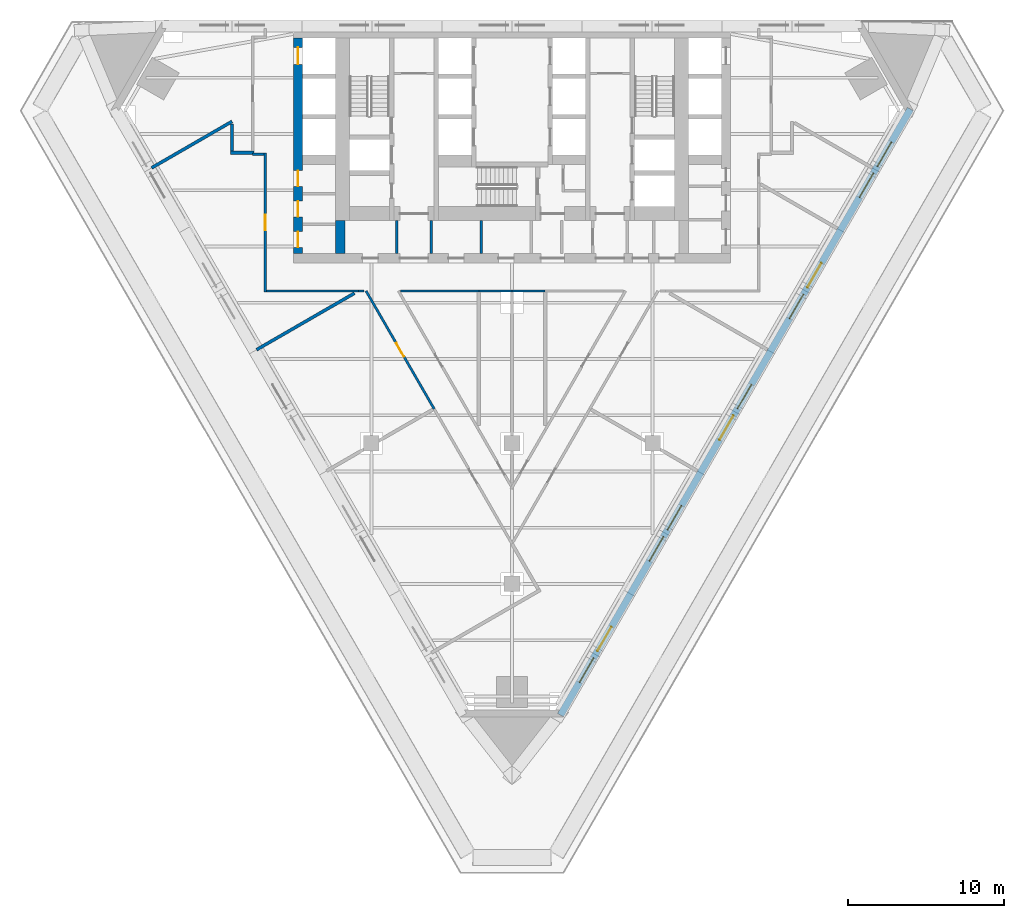
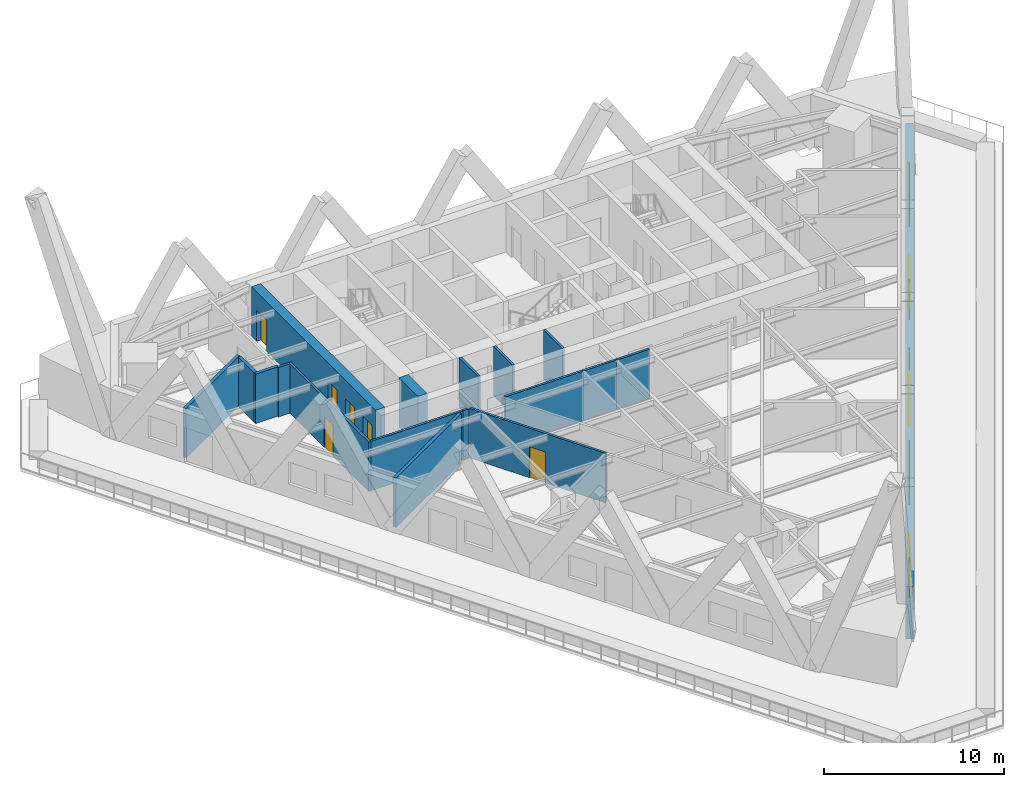
# One storey, part 4 of 11: 18 walls, 9 doors, 7 windows, 16 openings.
"""IFC4 building model written with IfcOpenShell, lengths in metres."""

from ifc_helpers import new_model, si_unit, direction, frame, frame_2d, origin, place, context, subcontext, project, spatial, polyline, rectangle, outline, extrude, material, layer, layer_set, type_object, element, fill, save


model = new_model("IFC4")

# Units and contexts
model_context = context("Model", 3, precision=1e-05, world=origin(), true_north=direction((0.0, 1.0)))
body_context = subcontext(model_context, "Body", "Model", "MODEL_VIEW")
ifc_project = project(units=[si_unit("LENGTHUNIT", "METRE"), si_unit("AREAUNIT", "SQUARE_METRE"), si_unit("VOLUMEUNIT", "CUBIC_METRE"), si_unit("PLANEANGLEUNIT", "RADIAN"), si_unit("MASSUNIT", "GRAM", prefix="KILO")], contexts=[model_context])

# Site, building, storey
site_placement = place(None, origin())
site = spatial("IfcSite", under=ifc_project, at=site_placement, CompositionType="ELEMENT")
building_placement = place(site_placement, origin())
building = spatial("IfcBuilding", under=site, at=building_placement, Name="Aloe Facet Convention Tower", CompositionType="ELEMENT")
storey_placement = place(building_placement, frame((0.0, 0.0, 35.0)))
storey = spatial("IfcBuildingStorey", under=building, at=storey_placement, Name="L06", CompositionType="ELEMENT", Elevation=35.0)

# Walls
ifc_material_1 = material(Name="Concrete blockwork partition", Category="masonry")
ifc_layer_1 = layer(ifc_material_1, 0.14990234375)
ifc_layer_set_1 = layer_set([ifc_layer_1], Name="CR-W-PART150")
wall_type_1 = type_object("IfcWallType", Name="CR-W-PART150", PredefinedType="PARTITIONING", material=ifc_layer_set_1)
for number, where, z_axis, x_axis, name in (
    (1, (72.625, 122.25, 0.0), (0.0, 0.0, 1.0), (0.0, -1.0, 0.0), "Core partition L06-017"),
    (2, (74.824951171875, 122.25, 0.0), (0.0, 0.0, 1.0), (0.0, -1.0, 0.0), "Core partition L06-018"),
    (3, (78.02490234375, 122.25, 0.0), (0.0, 0.0, 1.0), (0.0, -1.0, 0.0), "Core partition L06-026"),
):
    element("IfcWall", number, at=place(storey_placement, frame(where, z_axis=z_axis, x_axis=x_axis)), inside=storey, type_object=wall_type_1, Name=name, PredefinedType="PARTITIONING", context=body_context, shape_type="SweptSolid", body=[
        extrude(rectangle(XDim=2.10009765625, YDim=0.14990234375, at=frame_2d((1.050048828125, 0.0))), origin(), (0.0, 0.0, 1.0), 3.35009765625),
    ])

# Wall, openings, doors
ifc_material_2 = material(Name="Concrete C80/95", Category="concrete")
ifc_layer_2 = layer(ifc_material_2, 0.60009765625)
ifc_layer_set_2 = layer_set([ifc_layer_2], Name="CR-W-RC600-C8095")
wall_type_2 = type_object("IfcWallType", Name="CR-W-RC600-C8095", PredefinedType="SOLIDWALL", material=ifc_layer_set_2)
wall_1_placement = place(storey_placement, frame((66.300048828125, 133.949951171875, 0.0), z_axis=(0.0, 0.0, 1.0), x_axis=(0.0, -1.0, 0.0)))
wall_1 = element("IfcWall", 4, at=wall_1_placement, inside=storey, type_object=wall_type_2, Name="Core wall L06-002", PredefinedType="SOLIDWALL", context=body_context, shape_type="SweptSolid", body=[
    extrude(rectangle(XDim=13.800048828125, YDim=0.60009765625, at=frame_2d((6.89990234375, 0.0))), origin(), (0.0, 0.0, 1.0), 3.35009765625),
])
opening_1_placement = place(wall_1_placement, frame((0.60009765625, 0.0, 0.0)))
opening_1 = element("IfcOpeningElement", 5, at=opening_1_placement, cuts=wall_1, Name="Opening LD-A7-L06", PredefinedType="OPENING", context=body_context, shape_type="SweptSolid", body=[
    extrude(rectangle(XDim=1.10009765625, YDim=2.10009765625, at=frame_2d((0.550048828125, 1.050048828125))), frame((0.0, 0.31005859375, 0.0), z_axis=(0.0, -1.0, 0.0), x_axis=(1.0, 0.0, 0.0)), (0.0, 0.0, 1.0), 0.6201171875),
])
opening_2_placement = place(wall_1_placement, frame((12.39990234375, 0.0, 0.0)))
opening_2 = element("IfcOpeningElement", 6, at=opening_2_placement, cuts=wall_1, Name="Opening L06-CD34", PredefinedType="OPENING", context=body_context, shape_type="SweptSolid", body=[
    extrude(rectangle(XDim=1.0, YDim=2.10009765625, at=frame_2d((0.5, 1.050048828125))), frame((0.0, 0.31005859375, 0.0), z_axis=(0.0, -1.0, 0.0), x_axis=(1.0, 0.0, 0.0)), (0.0, 0.0, 1.0), 0.6201171875),
])
opening_3_placement = place(wall_1_placement, frame((8.5, 0.0, 0.0)))
opening_3 = element("IfcOpeningElement", 7, at=opening_3_placement, cuts=wall_1, Name="Opening L06-CD35", PredefinedType="OPENING", context=body_context, shape_type="SweptSolid", body=[
    extrude(rectangle(XDim=1.0, YDim=2.10009765625, at=frame_2d((0.5, 1.050048828125))), frame((0.0, 0.31005859375, 0.0), z_axis=(0.0, -1.0, 0.0), x_axis=(1.0, 0.0, 0.0)), (0.0, 0.0, 1.0), 0.6201171875),
])
opening_4_placement = place(wall_1_placement, frame((10.449951171875, 0.0, 0.0)))
opening_4 = element("IfcOpeningElement", 8, at=opening_4_placement, cuts=wall_1, Name="Opening L06-CD36", PredefinedType="OPENING", context=body_context, shape_type="SweptSolid", body=[
    extrude(rectangle(XDim=1.0, YDim=2.10009765625, at=frame_2d((0.5, 1.050048828125))), frame((0.0, 0.31005859375, 0.0), z_axis=(0.0, -1.0, 0.0), x_axis=(1.0, 0.0, 0.0)), (0.0, 0.0, 1.0), 0.6201171875),
])
ifc_material_3 = material(Name="Steel fire-resisting door set FD60", Category="steel")
door_type_1 = type_object("IfcDoorType", Name="CR-D-ROOM-1000-FD60-SLEFT", OperationType="SINGLE_SWING_LEFT", PredefinedType="DOOR", material=ifc_material_3)
door_1_placement = place(opening_2_placement, origin())
door_1 = element("IfcDoor", 9, at=door_1_placement, inside=storey, type_object=door_type_1, Name="Core door L06-CD34", OperationType="SINGLE_SWING_LEFT", OverallHeight=2.10009765625, OverallWidth=1.0, PredefinedType="DOOR", context=body_context, shape_type="SweptSolid", body=[
    extrude(rectangle(XDim=1.0, YDim=2.10009765625, at=frame_2d((0.5, 1.050048828125))), frame((0.0, 0.02490234375, 0.0), z_axis=(0.0, -1.0, 0.0), x_axis=(1.0, 0.0, 0.0)), (0.0, 0.0, 1.0), 0.050048828125),
])
fill(opening_2, door_1)
door_2_placement = place(opening_3_placement, origin())
door_2 = element("IfcDoor", 10, at=door_2_placement, inside=storey, type_object=door_type_1, Name="Core door L06-CD35", OperationType="SINGLE_SWING_LEFT", OverallHeight=2.10009765625, OverallWidth=1.0, PredefinedType="DOOR", context=body_context, shape_type="SweptSolid", body=[
    extrude(rectangle(XDim=1.0, YDim=2.10009765625, at=frame_2d((0.5, 1.050048828125))), frame((0.0, 0.02490234375, 0.0), z_axis=(0.0, -1.0, 0.0), x_axis=(1.0, 0.0, 0.0)), (0.0, 0.0, 1.0), 0.050048828125),
])
fill(opening_3, door_2)
door_3_placement = place(opening_4_placement, origin())
door_3 = element("IfcDoor", 11, at=door_3_placement, inside=storey, type_object=door_type_1, Name="Core door L06-CD36", OperationType="SINGLE_SWING_LEFT", OverallHeight=2.10009765625, OverallWidth=1.0, PredefinedType="DOOR", context=body_context, shape_type="SweptSolid", body=[
    extrude(rectangle(XDim=1.0, YDim=2.10009765625, at=frame_2d((0.5, 1.050048828125))), frame((0.0, 0.02490234375, 0.0), z_axis=(0.0, -1.0, 0.0), x_axis=(1.0, 0.0, 0.0)), (0.0, 0.0, 1.0), 0.050048828125),
])
fill(opening_4, door_3)
ifc_material_4 = material(Name="Stainless steel sliding landing door", Category="steel")
door_type_2 = type_object("IfcDoorType", Name="CR-LD-1100-FD60-_LEFT", OperationType="SLIDING_TO_LEFT", PredefinedType="DOOR", material=ifc_material_4)
door_4_placement = place(opening_1_placement, origin())
door_4 = element("IfcDoor", 12, at=door_4_placement, inside=storey, type_object=door_type_2, Name="Landing door A7 L06", OperationType="SLIDING_TO_LEFT", OverallHeight=2.10009765625, OverallWidth=1.10009765625, PredefinedType="DOOR", context=body_context, shape_type="SweptSolid", body=[
    extrude(rectangle(XDim=1.10009765625, YDim=2.10009765625, at=frame_2d((0.550048828125, 1.050048828125))), frame((0.0, 0.02490234375, 0.0), z_axis=(0.0, -1.0, 0.0), x_axis=(1.0, 0.0, 0.0)), (0.0, 0.0, 1.0), 0.050048828125),
])
fill(opening_1, door_4)

# Wall
wall_2_placement = place(storey_placement, frame((69.0, 122.25, 0.0), z_axis=(0.0, 0.0, 1.0), x_axis=(0.0, -1.0, 0.0)))
element("IfcWall", 13, at=wall_2_placement, inside=storey, type_object=wall_type_2, Name="Core wall L06-010", PredefinedType="SOLIDWALL", context=body_context, shape_type="SweptSolid", body=[
    extrude(rectangle(XDim=2.10009765625, YDim=0.60009765625, at=frame_2d((1.050048828125, 0.0))), origin(), (0.0, 0.0, 1.0), 3.35009765625),
])

# Wall, openings, doors, windows
ifc_material_5 = material(Name="Precast concrete C40/50", Category="concrete")
ifc_layer_3 = layer(ifc_material_5, 0.449951171875)
ifc_layer_set_3 = layer_set([ifc_layer_3], Name="EV-WALL-STONE")
wall_type_3 = type_object("IfcWallType", Name="EV-WALL-STONE", PredefinedType="SOLIDWALL", material=ifc_layer_set_3)
wall_3_placement = place(storey_placement, frame((83.105224609375, 90.598876953125, -0.199951171875), z_axis=(0.0, 0.0, 1.0), x_axis=(0.499999201451, 0.866025864826, 0.0)))
wall_3 = element("IfcWall", 14, at=wall_3_placement, inside=storey, type_object=wall_type_3, Name="EW-L06-E01", PredefinedType="SOLIDWALL", context=body_context, shape_type="SweptSolid", body=[
    extrude(outline(polyline([(44.800048828125, 0.0), (44.800048828125, 3.550048828125), (0.0, 3.550048828125), (0.0, 0.0), (44.800048828125, 0.0)])), frame((0.0, 0.22509765625, 0.0), z_axis=(0.0, -1.0, 0.0), x_axis=(1.0, 0.0, 0.0)), (0.0, 0.0, 1.0), 0.449951171875),
])
opening_5_placement = place(wall_3_placement, frame((2.429931640625, 0.0, 1.10009765625)))
opening_5 = element("IfcOpeningElement", 15, at=opening_5_placement, cuts=wall_3, Name="Opening W-L06-E01", PredefinedType="OPENING", context=body_context, shape_type="SweptSolid", body=[
    extrude(rectangle(XDim=1.800048828125, YDim=1.5, at=frame_2d((0.89990234375, 0.75))), frame((0.0, 0.23486328125, 0.0), z_axis=(0.0, -1.0, 0.0), x_axis=(1.0, 0.0, 0.0)), (0.0, 0.0, 1.0), 0.469970703125),
])
opening_6_placement = place(wall_3_placement, frame((4.72998046875, 0.0, 0.199951171875)))
opening_6 = element("IfcOpeningElement", 16, at=opening_6_placement, cuts=wall_3, Name="Opening D-L06-E02", PredefinedType="OPENING", context=body_context, shape_type="SweptSolid", body=[
    extrude(rectangle(XDim=1.800048828125, YDim=2.39990234375, at=frame_2d((0.89990234375, 1.199951171875))), frame((0.0, 0.23486328125, 0.0), z_axis=(0.0, -1.0, 0.0), x_axis=(1.0, 0.0, 0.0)), (0.0, 0.0, 1.0), 0.469970703125),
])
opening_7_placement = place(wall_3_placement, frame((11.389892578125, 0.0, 1.10009765625)))
opening_7 = element("IfcOpeningElement", 17, at=opening_7_placement, cuts=wall_3, Name="Opening W-L06-E03", PredefinedType="OPENING", context=body_context, shape_type="SweptSolid", body=[
    extrude(rectangle(XDim=1.800048828125, YDim=1.5, at=frame_2d((0.89990234375, 0.75))), frame((0.0, 0.23486328125, 0.0), z_axis=(0.0, -1.0, 0.0), x_axis=(1.0, 0.0, 0.0)), (0.0, 0.0, 1.0), 0.469970703125),
])
opening_8_placement = place(wall_3_placement, frame((13.68994140625, 0.0, 1.10009765625)))
opening_8 = element("IfcOpeningElement", 18, at=opening_8_placement, cuts=wall_3, Name="Opening W-L06-E04", PredefinedType="OPENING", context=body_context, shape_type="SweptSolid", body=[
    extrude(rectangle(XDim=1.800048828125, YDim=1.5, at=frame_2d((0.89990234375, 0.75))), frame((0.0, 0.23486328125, 0.0), z_axis=(0.0, -1.0, 0.0), x_axis=(1.0, 0.0, 0.0)), (0.0, 0.0, 1.0), 0.469970703125),
])
opening_9_placement = place(wall_3_placement, frame((20.35009765625, 0.0, 0.199951171875)))
opening_9 = element("IfcOpeningElement", 19, at=opening_9_placement, cuts=wall_3, Name="Opening D-L06-E05", PredefinedType="OPENING", context=body_context, shape_type="SweptSolid", body=[
    extrude(rectangle(XDim=1.800048828125, YDim=2.39990234375, at=frame_2d((0.89990234375, 1.199951171875))), frame((0.0, 0.23486328125, 0.0), z_axis=(0.0, -1.0, 0.0), x_axis=(1.0, 0.0, 0.0)), (0.0, 0.0, 1.0), 0.469970703125),
])
opening_10_placement = place(wall_3_placement, frame((22.64990234375, 0.0, 1.10009765625)))
opening_10 = element("IfcOpeningElement", 20, at=opening_10_placement, cuts=wall_3, Name="Opening W-L06-E06", PredefinedType="OPENING", context=body_context, shape_type="SweptSolid", body=[
    extrude(rectangle(XDim=1.800048828125, YDim=1.5, at=frame_2d((0.89990234375, 0.75))), frame((0.0, 0.23486328125, 0.0), z_axis=(0.0, -1.0, 0.0), x_axis=(1.0, 0.0, 0.0)), (0.0, 0.0, 1.0), 0.469970703125),
])
opening_11_placement = place(wall_3_placement, frame((29.31005859375, 0.0, 1.10009765625)))
opening_11 = element("IfcOpeningElement", 21, at=opening_11_placement, cuts=wall_3, Name="Opening W-L06-E07", PredefinedType="OPENING", context=body_context, shape_type="SweptSolid", body=[
    extrude(rectangle(XDim=1.800048828125, YDim=1.5, at=frame_2d((0.89990234375, 0.75))), frame((0.0, 0.23486328125, 0.0), z_axis=(0.0, -1.0, 0.0), x_axis=(1.0, 0.0, 0.0)), (0.0, 0.0, 1.0), 0.469970703125),
])
opening_12_placement = place(wall_3_placement, frame((31.610107421875, 0.0, 0.199951171875)))
opening_12 = element("IfcOpeningElement", 22, at=opening_12_placement, cuts=wall_3, Name="Opening D-L06-E08", PredefinedType="OPENING", context=body_context, shape_type="SweptSolid", body=[
    extrude(rectangle(XDim=1.800048828125, YDim=2.39990234375, at=frame_2d((0.89990234375, 1.199951171875))), frame((0.0, 0.23486328125, 0.0), z_axis=(0.0, -1.0, 0.0), x_axis=(1.0, 0.0, 0.0)), (0.0, 0.0, 1.0), 0.469970703125),
])
opening_13_placement = place(wall_3_placement, frame((38.27001953125, 0.0, 1.10009765625)))
opening_13 = element("IfcOpeningElement", 23, at=opening_13_placement, cuts=wall_3, Name="Opening W-L06-E09", PredefinedType="OPENING", context=body_context, shape_type="SweptSolid", body=[
    extrude(rectangle(XDim=1.800048828125, YDim=1.5, at=frame_2d((0.89990234375, 0.75))), frame((0.0, 0.23486328125, 0.0), z_axis=(0.0, -1.0, 0.0), x_axis=(1.0, 0.0, 0.0)), (0.0, 0.0, 1.0), 0.469970703125),
])
opening_14_placement = place(wall_3_placement, frame((40.570068359375, 0.0, 1.10009765625)))
opening_14 = element("IfcOpeningElement", 24, at=opening_14_placement, cuts=wall_3, Name="Opening W-L06-E10", PredefinedType="OPENING", context=body_context, shape_type="SweptSolid", body=[
    extrude(rectangle(XDim=1.800048828125, YDim=1.5, at=frame_2d((0.89990234375, 0.75))), frame((0.0, 0.23486328125, 0.0), z_axis=(0.0, -1.0, 0.0), x_axis=(1.0, 0.0, 0.0)), (0.0, 0.0, 1.0), 0.469970703125),
])
ifc_material_6 = material(Name="Aluminium frame, clear double glazing", Category="aluminium")
door_type_3 = type_object("IfcDoorType", Name="EV-DOOR-FRENCH", OperationType="DOUBLE_DOOR_SINGLE_SWING", PredefinedType="DOOR", material=ifc_material_6)
door_5_placement = place(opening_6_placement, origin())
door_5 = element("IfcDoor", 25, at=door_5_placement, inside=storey, type_object=door_type_3, Name="D-L06-E02", OperationType="SINGLE_SWING_LEFT", OverallHeight=2.39990234375, OverallWidth=1.800048828125, PredefinedType="DOOR", context=body_context, shape_type="SweptSolid", body=[
    extrude(rectangle(XDim=1.800048828125, YDim=2.39990234375, at=frame_2d((0.89990234375, 1.199951171875))), frame((0.0, 0.02490234375, 0.0), z_axis=(0.0, -1.0, 0.0), x_axis=(1.0, 0.0, 0.0)), (0.0, 0.0, 1.0), 0.050048828125),
])
fill(opening_6, door_5)
door_6_placement = place(opening_9_placement, origin())
door_6 = element("IfcDoor", 26, at=door_6_placement, inside=storey, type_object=door_type_3, Name="D-L06-E05", OperationType="SINGLE_SWING_LEFT", OverallHeight=2.39990234375, OverallWidth=1.800048828125, PredefinedType="DOOR", context=body_context, shape_type="SweptSolid", body=[
    extrude(rectangle(XDim=1.800048828125, YDim=2.39990234375, at=frame_2d((0.89990234375, 1.199951171875))), frame((0.0, 0.02490234375, 0.0), z_axis=(0.0, -1.0, 0.0), x_axis=(1.0, 0.0, 0.0)), (0.0, 0.0, 1.0), 0.050048828125),
])
fill(opening_9, door_6)
door_7_placement = place(opening_12_placement, origin())
door_7 = element("IfcDoor", 27, at=door_7_placement, inside=storey, type_object=door_type_3, Name="D-L06-E08", OperationType="SINGLE_SWING_LEFT", OverallHeight=2.39990234375, OverallWidth=1.800048828125, PredefinedType="DOOR", context=body_context, shape_type="SweptSolid", body=[
    extrude(rectangle(XDim=1.800048828125, YDim=2.39990234375, at=frame_2d((0.89990234375, 1.199951171875))), frame((0.0, 0.02490234375, 0.0), z_axis=(0.0, -1.0, 0.0), x_axis=(1.0, 0.0, 0.0)), (0.0, 0.0, 1.0), 0.050048828125),
])
fill(opening_12, door_7)
ifc_material_7 = material(Name="Aluminium frame, clear double glazing", Category="aluminium")
window_type = type_object("IfcWindowType", Name="EV-WIN-H18", PartitioningType="SINGLE_PANEL", PredefinedType="WINDOW", material=ifc_material_7)
window_1_placement = place(opening_5_placement, origin())
window_1 = element("IfcWindow", 28, at=window_1_placement, inside=storey, type_object=window_type, Name="W-L06-E01", OverallHeight=1.5, OverallWidth=1.800048828125, PartitioningType="SINGLE_PANEL", PredefinedType="WINDOW", context=body_context, shape_type="SweptSolid", body=[
    extrude(rectangle(XDim=1.800048828125, YDim=1.5, at=frame_2d((0.89990234375, 0.75))), frame((0.0, 0.030029296875, 0.0), z_axis=(0.0, -1.0, 0.0), x_axis=(1.0, 0.0, 0.0)), (0.0, 0.0, 1.0), 0.06005859375),
])
fill(opening_5, window_1)
window_2_placement = place(opening_7_placement, origin())
window_2 = element("IfcWindow", 29, at=window_2_placement, inside=storey, type_object=window_type, Name="W-L06-E03", OverallHeight=1.5, OverallWidth=1.800048828125, PartitioningType="SINGLE_PANEL", PredefinedType="WINDOW", context=body_context, shape_type="SweptSolid", body=[
    extrude(rectangle(XDim=1.800048828125, YDim=1.5, at=frame_2d((0.89990234375, 0.75))), frame((0.0, 0.030029296875, 0.0), z_axis=(0.0, -1.0, 0.0), x_axis=(1.0, 0.0, 0.0)), (0.0, 0.0, 1.0), 0.06005859375),
])
fill(opening_7, window_2)
window_3_placement = place(opening_8_placement, origin())
window_3 = element("IfcWindow", 30, at=window_3_placement, inside=storey, type_object=window_type, Name="W-L06-E04", OverallHeight=1.5, OverallWidth=1.800048828125, PartitioningType="SINGLE_PANEL", PredefinedType="WINDOW", context=body_context, shape_type="SweptSolid", body=[
    extrude(rectangle(XDim=1.800048828125, YDim=1.5, at=frame_2d((0.89990234375, 0.75))), frame((0.0, 0.030029296875, 0.0), z_axis=(0.0, -1.0, 0.0), x_axis=(1.0, 0.0, 0.0)), (0.0, 0.0, 1.0), 0.06005859375),
])
fill(opening_8, window_3)
window_4_placement = place(opening_10_placement, origin())
window_4 = element("IfcWindow", 31, at=window_4_placement, inside=storey, type_object=window_type, Name="W-L06-E06", OverallHeight=1.5, OverallWidth=1.800048828125, PartitioningType="SINGLE_PANEL", PredefinedType="WINDOW", context=body_context, shape_type="SweptSolid", body=[
    extrude(rectangle(XDim=1.800048828125, YDim=1.5, at=frame_2d((0.89990234375, 0.75))), frame((0.0, 0.030029296875, 0.0), z_axis=(0.0, -1.0, 0.0), x_axis=(1.0, 0.0, 0.0)), (0.0, 0.0, 1.0), 0.06005859375),
])
fill(opening_10, window_4)
window_5_placement = place(opening_11_placement, origin())
window_5 = element("IfcWindow", 32, at=window_5_placement, inside=storey, type_object=window_type, Name="W-L06-E07", OverallHeight=1.5, OverallWidth=1.800048828125, PartitioningType="SINGLE_PANEL", PredefinedType="WINDOW", context=body_context, shape_type="SweptSolid", body=[
    extrude(rectangle(XDim=1.800048828125, YDim=1.5, at=frame_2d((0.89990234375, 0.75))), frame((0.0, 0.030029296875, 0.0), z_axis=(0.0, -1.0, 0.0), x_axis=(1.0, 0.0, 0.0)), (0.0, 0.0, 1.0), 0.06005859375),
])
fill(opening_11, window_5)
window_6_placement = place(opening_13_placement, origin())
window_6 = element("IfcWindow", 33, at=window_6_placement, inside=storey, type_object=window_type, Name="W-L06-E09", OverallHeight=1.5, OverallWidth=1.800048828125, PartitioningType="SINGLE_PANEL", PredefinedType="WINDOW", context=body_context, shape_type="SweptSolid", body=[
    extrude(rectangle(XDim=1.800048828125, YDim=1.5, at=frame_2d((0.89990234375, 0.75))), frame((0.0, 0.030029296875, 0.0), z_axis=(0.0, -1.0, 0.0), x_axis=(1.0, 0.0, 0.0)), (0.0, 0.0, 1.0), 0.06005859375),
])
fill(opening_13, window_6)
window_7_placement = place(opening_14_placement, origin())
window_7 = element("IfcWindow", 34, at=window_7_placement, inside=storey, type_object=window_type, Name="W-L06-E10", OverallHeight=1.5, OverallWidth=1.800048828125, PartitioningType="SINGLE_PANEL", PredefinedType="WINDOW", context=body_context, shape_type="SweptSolid", body=[
    extrude(rectangle(XDim=1.800048828125, YDim=1.5, at=frame_2d((0.89990234375, 0.75))), frame((0.0, 0.030029296875, 0.0), z_axis=(0.0, -1.0, 0.0), x_axis=(1.0, 0.0, 0.0)), (0.0, 0.0, 1.0), 0.06005859375),
])
fill(opening_14, window_7)

# Wall, opening, door
ifc_material_8 = material(Name="Gypsum board partition on steel studs", Category="steel")
ifc_layer_4 = layer(ifc_material_8, 0.14990234375)
ifc_layer_set_4 = layer_set([ifc_layer_4], Name="IN-W-CORR")
wall_type_4 = type_object("IfcWallType", Name="IN-W-CORR", PredefinedType="PARTITIONING", material=ifc_layer_set_4)
wall_4_placement = place(storey_placement, frame((70.65869140625, 117.75, 0.0), z_axis=(0.0, 0.0, 1.0), x_axis=(0.500015174863, -0.866016642396, 0.0)))
wall_4 = element("IfcWall", 35, at=wall_4_placement, inside=storey, type_object=wall_type_4, Name="Partition L06-W013", PredefinedType="PARTITIONING", context=body_context, shape_type="SweptSolid", body=[
    extrude(rectangle(XDim=8.711669921875, YDim=0.14990234375, at=frame_2d((4.35595703125, 0.0))), origin(), (0.0, 0.0, 1.0), 3.35009765625),
])
opening_15_placement = place(wall_4_placement, frame((3.85595703125, 0.0, 0.0)))
opening_15 = element("IfcOpeningElement", 36, at=opening_15_placement, cuts=wall_4, Name="Opening L06-004", PredefinedType="OPENING", context=body_context, shape_type="SweptSolid", body=[
    extrude(rectangle(XDim=1.0, YDim=2.10009765625, at=frame_2d((0.5, 1.050048828125))), frame((0.0, 0.0849609375, 0.0), z_axis=(0.0, -1.0, 0.0), x_axis=(1.0, 0.0, 0.0)), (0.0, 0.0, 1.0), 0.169921875),
])
ifc_material_9 = material(Name="Hardwood flush door FD30S", Category="wood")
door_type_4 = type_object("IfcDoorType", Name="IN-D-WIDE", OperationType="SINGLE_SWING_LEFT", PredefinedType="DOOR", material=ifc_material_9)
door_8_placement = place(opening_15_placement, origin())
door_8 = element("IfcDoor", 37, at=door_8_placement, inside=storey, type_object=door_type_4, Name="Door L06-004", OperationType="SINGLE_SWING_LEFT", OverallHeight=2.10009765625, OverallWidth=1.0, PredefinedType="DOOR", context=body_context, shape_type="SweptSolid", body=[
    extrude(rectangle(XDim=1.0, YDim=2.10009765625, at=frame_2d((0.5, 1.050048828125))), frame((0.0, 0.02490234375, 0.0), z_axis=(0.0, -1.0, 0.0), x_axis=(1.0, 0.0, 0.0)), (0.0, 0.0, 1.0), 0.050048828125),
])
fill(opening_15, door_8)

wall_5_placement = place(storey_placement, frame((64.199951171875, 117.675048828125, 0.0), z_axis=(0.0, 0.0, 1.0), x_axis=(0.0, 1.0, 0.0)))
wall_5 = element("IfcWall", 38, at=wall_5_placement, inside=storey, type_object=wall_type_4, Name="Partition L06-W017", PredefinedType="PARTITIONING", context=body_context, shape_type="SweptSolid", body=[
    extrude(rectangle(XDim=8.89990234375, YDim=0.14990234375, at=frame_2d((4.449951171875, 0.0))), origin(), (0.0, 0.0, 1.0), 3.35009765625),
])
opening_16_placement = place(wall_5_placement, frame((3.949951171875, 0.0, 0.0)))
opening_16 = element("IfcOpeningElement", 39, at=opening_16_placement, cuts=wall_5, Name="Opening L06-003", PredefinedType="OPENING", context=body_context, shape_type="SweptSolid", body=[
    extrude(rectangle(XDim=1.0, YDim=2.10009765625, at=frame_2d((0.5, 1.050048828125))), frame((0.0, 0.0849609375, 0.0), z_axis=(0.0, -1.0, 0.0), x_axis=(1.0, 0.0, 0.0)), (0.0, 0.0, 1.0), 0.169921875),
])
door_9_placement = place(opening_16_placement, origin())
door_9 = element("IfcDoor", 40, at=door_9_placement, inside=storey, type_object=door_type_4, Name="Door L06-003", OperationType="SINGLE_SWING_LEFT", OverallHeight=2.10009765625, OverallWidth=1.0, PredefinedType="DOOR", context=body_context, shape_type="SweptSolid", body=[
    extrude(rectangle(XDim=1.0, YDim=2.10009765625, at=frame_2d((0.5, 1.050048828125))), frame((0.0, 0.02490234375, 0.0), z_axis=(0.0, -1.0, 0.0), x_axis=(1.0, 0.0, 0.0)), (0.0, 0.0, 1.0), 0.050048828125),
])
fill(opening_16, door_9)

# Walls
wall_6_placement = place(storey_placement, frame((64.27490234375, 117.75, 0.0), z_axis=(0.0, 0.0, 1.0), x_axis=(1.0, 0.0, 0.0)))
element("IfcWall", 41, at=wall_6_placement, inside=storey, type_object=wall_type_4, Name="Partition L06-W018", PredefinedType="PARTITIONING", context=body_context, shape_type="SweptSolid", body=[
    extrude(rectangle(XDim=5.88720703125, YDim=0.14990234375, at=frame_2d((2.943603515625, 0.0))), origin(), (0.0, 0.0, 1.0), 3.35009765625),
])
wall_7_placement = place(storey_placement, frame((70.162109375, 117.75, 0.0), z_axis=(0.0, 0.0, 1.0), x_axis=(1.0, 0.0, 0.0)))
element("IfcWall", 42, at=wall_7_placement, inside=storey, type_object=wall_type_4, Name="Partition L06-W019", PredefinedType="PARTITIONING", context=body_context, shape_type="SweptSolid", body=[
    extrude(rectangle(XDim=0.36669921875, YDim=0.14990234375, at=frame_2d((0.183349609375, 0.0))), origin(), (0.0, 0.0, 1.0), 3.35009765625),
])
wall_8_placement = place(storey_placement, frame((72.8671875, 117.75, 0.0), z_axis=(0.0, 0.0, 1.0), x_axis=(1.0, 0.0, 0.0)))
element("IfcWall", 43, at=wall_8_placement, inside=storey, type_object=wall_type_4, Name="Partition L06-W020", PredefinedType="PARTITIONING", context=body_context, shape_type="SweptSolid", body=[
    extrude(rectangle(XDim=5.005859375, YDim=0.14990234375, at=frame_2d((2.5029296875, 0.0))), origin(), (0.0, 0.0, 1.0), 3.35009765625),
])
for number, where, z_axis, x_axis, name in (
    (44, (77.873046875, 117.75, 0.0), (0.0, 0.0, 1.0), (1.0, 0.0, 0.0), "Partition L06-W021"),
    (45, (80.0, 117.75, 0.0), (0.0, 0.0, 1.0), (1.0, 0.0, 0.0), "Partition L06-W022"),
):
    element("IfcWall", number, at=place(storey_placement, frame(where, z_axis=z_axis, x_axis=x_axis)), inside=storey, type_object=wall_type_4, Name=name, PredefinedType="PARTITIONING", context=body_context, shape_type="SweptSolid", body=[
        extrude(rectangle(XDim=2.126953125, YDim=0.14990234375, at=frame_2d((1.0634765625, 0.0))), origin(), (0.0, 0.0, 1.0), 3.35009765625),
    ])
wall_9_placement = place(storey_placement, frame((63.39990234375, 126.5, 0.0), z_axis=(0.0, 0.0, 1.0), x_axis=(1.0, 0.0, 0.0)))
element("IfcWall", 46, at=wall_9_placement, inside=storey, type_object=wall_type_4, Name="Partition L06-W031", PredefinedType="PARTITIONING", context=body_context, shape_type="SweptSolid", body=[
    extrude(rectangle(XDim=0.72509765625, YDim=0.14990234375, at=frame_2d((0.362548828125, 0.0))), origin(), (0.0, 0.0, 1.0), 3.35009765625),
])
ifc_material_10 = material(Name="Gypsum board partition on steel studs", Category="steel")
ifc_layer_5 = layer(ifc_material_10, 0.199951171875)
ifc_layer_set_5 = layer_set([ifc_layer_5], Name="IN-W-PARTY")
wall_type_5 = type_object("IfcWallType", Name="IN-W-PARTY", PredefinedType="PARTITIONING", material=ifc_layer_set_5)
wall_10_placement = place(storey_placement, frame((63.649658203125, 113.989990234375, 0.0), z_axis=(0.0, 0.0, 1.0), x_axis=(0.866027117883, 0.499997031082, 0.0)))
element("IfcWall", 47, at=wall_10_placement, inside=storey, type_object=wall_type_5, Name="Partition L06-W015", PredefinedType="PARTITIONING", context=body_context, shape_type="SweptSolid", body=[
    extrude(rectangle(XDim=7.23486328125, YDim=0.199951171875, at=frame_2d((3.617431640625, 0.0))), origin(), (0.0, 0.0, 1.0), 3.35009765625),
])
wall_11_placement = place(storey_placement, frame((56.9296875, 125.62939453125, 0.0), z_axis=(0.0, 0.0, 1.0), x_axis=(0.866021515814, 0.500006734102, 0.0)))
element("IfcWall", 48, at=wall_11_placement, inside=storey, type_object=wall_type_5, Name="Partition L06-W029", PredefinedType="PARTITIONING", context=body_context, shape_type="SweptSolid", body=[
    extrude(rectangle(XDim=5.947265625, YDim=0.199951171875, at=frame_2d((2.9736328125, 0.0))), origin(), (0.0, 0.0, 1.0), 3.35009765625),
])
wall_12_placement = place(storey_placement, frame((61.97998046875, 126.60009765625, 0.0), z_axis=(0.0, 0.0, 1.0), x_axis=(1.0, 0.0, 0.0)))
element("IfcWall", 49, at=wall_12_placement, inside=storey, type_object=wall_type_5, Name="Partition L06-W034", PredefinedType="PARTITIONING", context=body_context, shape_type="SweptSolid", body=[
    extrude(rectangle(XDim=1.4951171875, YDim=0.199951171875, at=frame_2d((0.74755859375, 0.0))), origin(), (0.0, 0.0, 1.0), 3.35009765625),
])
wall_13_placement = place(storey_placement, frame((62.080078125, 126.699951171875, 0.0), z_axis=(0.0, 0.0, 1.0), x_axis=(0.0, 1.0, 0.0)))
element("IfcWall", 50, at=wall_13_placement, inside=storey, type_object=wall_type_5, Name="Partition L06-W039", PredefinedType="PARTITIONING", context=body_context, shape_type="SweptSolid", body=[
    extrude(rectangle(XDim=1.729736328125, YDim=0.199951171875, at=frame_2d((0.86474609375, 0.0))), origin(), (0.0, 0.0, 1.0), 3.35009765625),
])

save(model, "model.ifc")
